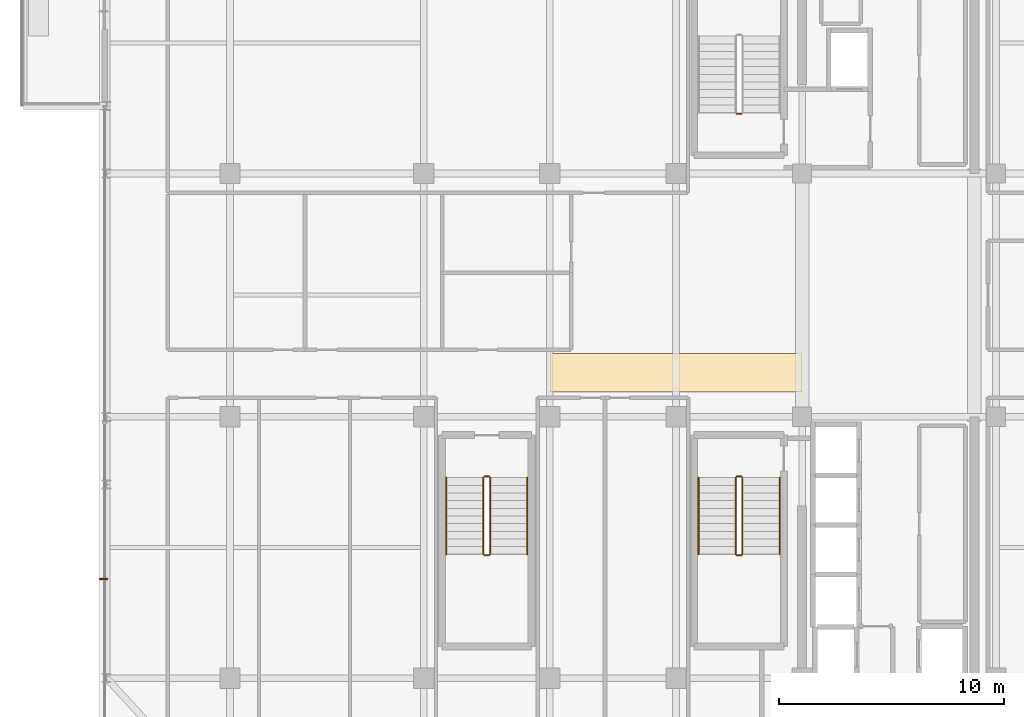
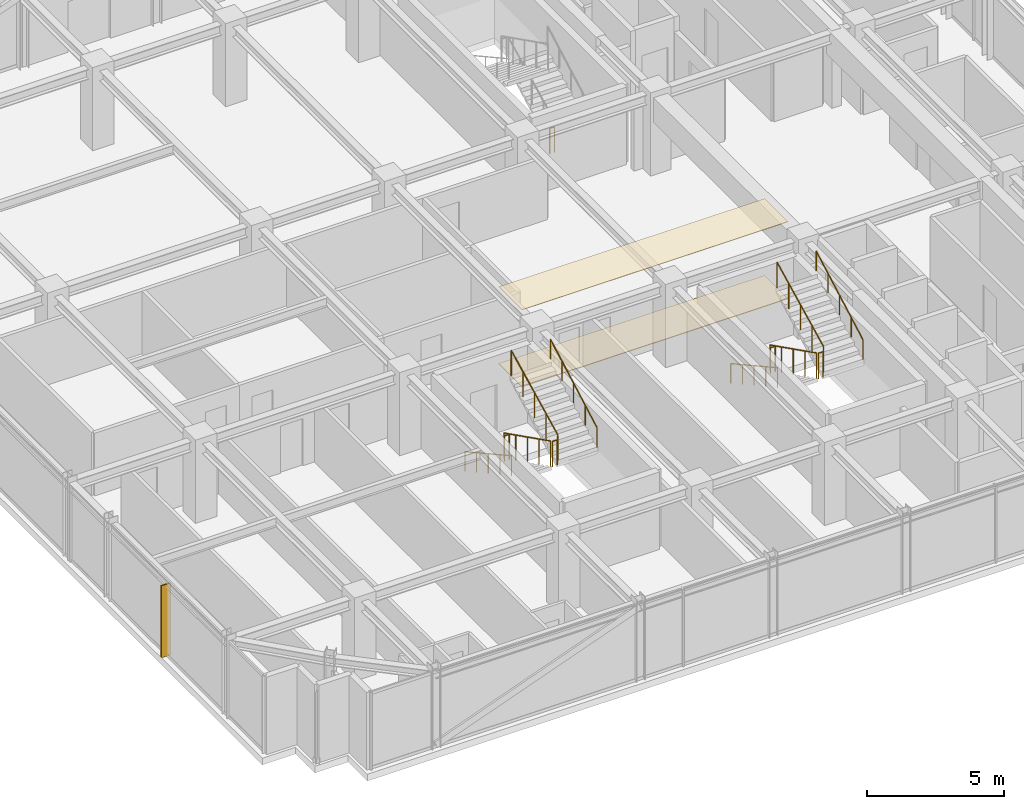
# One storey, part 34 of 36: 13 railings, 2 coverings, 1 shading device.
"""IFC4 building model written with IfcOpenShell, lengths in metres."""

from ifc_helpers import new_model, si_unit, direction, frame, origin, origin_2d, place, context, subcontext, project, spatial, polyline, rectangle, circle, outline, extrude, source, transform, mapped, material, layer, layer_set, type_object, element, save


model = new_model("IFC4")

# Units and contexts
model_context = context("Model", 3, precision=1e-05, world=origin(), true_north=direction((0.0, 1.0)))
body_context = subcontext(model_context, "Body", "Model", "MODEL_VIEW")
ifc_project = project(units=[si_unit("LENGTHUNIT", "METRE"), si_unit("AREAUNIT", "SQUARE_METRE"), si_unit("VOLUMEUNIT", "CUBIC_METRE"), si_unit("PLANEANGLEUNIT", "RADIAN"), si_unit("MASSUNIT", "GRAM", prefix="KILO")], contexts=[model_context])

# Site, building, storey
site_placement = place(None, origin())
site = spatial("IfcSite", under=ifc_project, at=site_placement, CompositionType="ELEMENT")
building_placement = place(site_placement, origin())
building = spatial("IfcBuilding", under=site, at=building_placement, Name="Nahalor Promenade Grand Hotel", CompositionType="ELEMENT")
storey_placement = place(building_placement, frame((0.0, 0.0, 273.800048828125)))
storey = spatial("IfcBuildingStorey", under=building, at=storey_placement, Name="L70", CompositionType="ELEMENT", Elevation=273.800048828125)

# Coverings
ifc_material_1 = material(Name="Acoustic Mineral Gypsum", Category="gypsum")
ifc_layer_1 = layer(ifc_material_1, 0.02490234375)
ifc_layer_set_1 = layer_set([ifc_layer_1], Name="Acoustic Mineral Gypsum")
covering_type_1 = type_object("IfcCoveringType", Name="Acoustic Suspended Ceiling Tile", PredefinedType="CEILING", material=ifc_layer_set_1)
covering_1_placement = place(storey_placement, frame((0.0, 0.0, 3.425048828125)))
element("IfcCovering", 1, at=covering_1_placement, inside=storey, type_object=covering_type_1, Name="CV-CEIL-L70", PredefinedType="CEILING", context=body_context, shape_type="SweptSolid", body=[
    extrude(outline(polyline([(-2.800048828125, -4.300048828125), (8.39990234375, -4.300048828125), (8.39990234375, -2.60009765625), (-2.800048828125, -2.60009765625), (-2.800048828125, -4.300048828125)])), origin(), (0.0, 0.0, 1.0), 0.02490234375),
])
ifc_material_2 = material(Name="Jerusalem Limestone Flooring", Category="masonry")
ifc_layer_2 = layer(ifc_material_2, 0.030029296875)
ifc_layer_set_2 = layer_set([ifc_layer_2], Name="Jerusalem Limestone Flooring")
covering_type_2 = type_object("IfcCoveringType", Name="Honed Limestone Floor Finish", PredefinedType="FLOORING", material=ifc_layer_set_2)
covering_2_placement = place(storey_placement, origin())
element("IfcCovering", 2, at=covering_2_placement, inside=storey, type_object=covering_type_2, Name="CV-FLOR-L70", PredefinedType="FLOORING", context=body_context, shape_type="SweptSolid", body=[
    extrude(outline(polyline([(-2.800048828125, -4.300048828125), (8.39990234375, -4.300048828125), (8.39990234375, -2.60009765625), (-2.800048828125, -2.60009765625), (-2.800048828125, -4.300048828125)])), origin(), (0.0, 0.0, 1.0), 0.030029296875),
])

# Railings
ifc_material_3 = material(Name="Steel S355JR", Category="steel")
railing_type_1 = type_object("IfcRailingType", Name="Steel Stair Guardrail 1150 mm", PredefinedType="GUARDRAIL", material=ifc_material_3)
railing_1_placement = place(storey_placement, frame((5.699951171875, 8.050048828125, 0.0)))
element("IfcRailing", 3, at=railing_1_placement, inside=storey, type_object=railing_type_1, Name="L70 ST1 stair guard 4", PredefinedType="GUARDRAIL", context=body_context, shape_type="SweptSolid", body=[
    extrude(circle(Radius=0.024048, at=origin_2d()), frame((0.0, 0.0, 1.1259765625), z_axis=(-1.0, 0.0, 0.0), x_axis=(0.0, -1.0, 0.0)), (0.0, 0.0, 1.0), 0.199951171875),
    extrude(circle(Radius=0.020996, at=origin_2d()), origin(), (0.0, 0.0, 1.0), 1.099853515625),
    extrude(circle(Radius=0.020996, at=origin_2d()), frame((-0.199951171875, 0.0, 0.0)), (0.0, 0.0, 1.0), 1.099853515625),
])
railing_2_placement = place(storey_placement, frame((5.449951171875, -8.10009765625, 0.17041015625)))
element("IfcRailing", 4, at=railing_2_placement, inside=storey, type_object=railing_type_1, Name="L70 ST2 stair guard 1", PredefinedType="GUARDRAIL", context=body_context, shape_type="SweptSolid", body=[
    extrude(circle(Radius=0.024048, at=origin_2d()), frame((0.0, 0.0, 1.1259765625), z_axis=(0.0, -0.89393879905, 0.448189048899), x_axis=(1.0, 0.0, 0.0)), (0.0, 0.0, 1.0), 3.80322265625),
    extrude(circle(Radius=0.020996, at=origin_2d()), origin(), (0.0, 0.0, 1.0), 1.099853515625),
    extrude(circle(Radius=0.020996, at=origin_2d()), frame((0.0, -0.85009765625, 0.42626953125)), (0.0, 0.0, 1.0), 1.099853515625),
    extrude(circle(Radius=0.020996, at=origin_2d()), frame((0.0, -1.699951171875, 0.852294921875)), (0.0, 0.0, 1.0), 1.099853515625),
    extrude(circle(Radius=0.020996, at=origin_2d()), frame((0.0, -2.5498046875, 1.2783203125)), (0.0, 0.0, 1.0), 1.099853515625),
    extrude(circle(Radius=0.020996, at=origin_2d()), frame((0.0, -3.39990234375, 1.70458984375)), (0.0, 0.0, 1.0), 1.099853515625),
])
railing_3_placement = place(storey_placement, frame((5.5, -11.550048828125, 1.875)))
element("IfcRailing", 5, at=railing_3_placement, inside=storey, type_object=railing_type_1, Name="L70 ST2 stair guard 2", PredefinedType="GUARDRAIL", context=body_context, shape_type="SweptSolid", body=[
    extrude(circle(Radius=0.024048, at=origin_2d()), frame((0.0, 0.0, 1.1259765625), z_axis=(1.0, 0.0, 0.0), x_axis=(0.0, 1.0, 0.0)), (0.0, 0.0, 1.0), 0.199951171875),
    extrude(circle(Radius=0.020996, at=origin_2d()), origin(), (0.0, 0.0, 1.0), 1.099853515625),
    extrude(circle(Radius=0.020996, at=origin_2d()), frame((0.199951171875, 0.0, 0.0)), (0.0, 0.0, 1.0), 1.099853515625),
])
railing_4_placement = place(storey_placement, frame((5.75, -11.5, 2.04541015625)))
element("IfcRailing", 6, at=railing_4_placement, inside=storey, type_object=railing_type_1, Name="L70 ST2 stair guard 3", PredefinedType="GUARDRAIL", context=body_context, shape_type="SweptSolid", body=[
    extrude(circle(Radius=0.024048, at=origin_2d()), frame((0.0, 0.0, 1.1259765625), z_axis=(0.0, 0.89393879905, 0.448189048899), x_axis=(-1.0, 0.0, 0.0)), (0.0, 0.0, 1.0), 3.80322265625),
    extrude(circle(Radius=0.020996, at=origin_2d()), origin(), (0.0, 0.0, 1.0), 1.099853515625),
    extrude(circle(Radius=0.020996, at=origin_2d()), frame((0.0, 0.85009765625, 0.42626953125)), (0.0, 0.0, 1.0), 1.099853515625),
    extrude(circle(Radius=0.020996, at=origin_2d()), frame((0.0, 1.699951171875, 0.852294921875)), (0.0, 0.0, 1.0), 1.099853515625),
    extrude(circle(Radius=0.020996, at=origin_2d()), frame((0.0, 2.5498046875, 1.2783203125)), (0.0, 0.0, 1.0), 1.099853515625),
    extrude(circle(Radius=0.020996, at=origin_2d()), frame((0.0, 3.39990234375, 1.70458984375)), (0.0, 0.0, 1.0), 1.099853515625),
])
railing_5_placement = place(storey_placement, frame((5.5, -8.050048828125, 0.0)))
element("IfcRailing", 7, at=railing_5_placement, inside=storey, type_object=railing_type_1, Name="L70 ST2 stair guard 4", PredefinedType="GUARDRAIL", context=body_context, shape_type="SweptSolid", body=[
    extrude(circle(Radius=0.024048, at=origin_2d()), frame((0.0, 0.0, 1.1259765625), z_axis=(1.0, 0.0, 0.0), x_axis=(0.0, 1.0, 0.0)), (0.0, 0.0, 1.0), 0.199951171875),
    extrude(circle(Radius=0.020996, at=origin_2d()), origin(), (0.0, 0.0, 1.0), 1.099853515625),
    extrude(circle(Radius=0.020996, at=origin_2d()), frame((0.199951171875, 0.0, 0.0)), (0.0, 0.0, 1.0), 1.099853515625),
])
railing_6_placement = place(storey_placement, frame((-5.75, -8.10009765625, 0.17041015625)))
element("IfcRailing", 8, at=railing_6_placement, inside=storey, type_object=railing_type_1, Name="L70 ST3 stair guard 1", PredefinedType="GUARDRAIL", context=body_context, shape_type="SweptSolid", body=[
    extrude(circle(Radius=0.024048, at=origin_2d()), frame((0.0, 0.0, 1.1259765625), z_axis=(0.0, -0.89393879905, 0.448189048899), x_axis=(1.0, 0.0, 0.0)), (0.0, 0.0, 1.0), 3.80322265625),
    extrude(circle(Radius=0.020996, at=origin_2d()), origin(), (0.0, 0.0, 1.0), 1.099853515625),
    extrude(circle(Radius=0.020996, at=origin_2d()), frame((0.0, -0.85009765625, 0.42626953125)), (0.0, 0.0, 1.0), 1.099853515625),
    extrude(circle(Radius=0.020996, at=origin_2d()), frame((0.0, -1.699951171875, 0.852294921875)), (0.0, 0.0, 1.0), 1.099853515625),
    extrude(circle(Radius=0.020996, at=origin_2d()), frame((0.0, -2.5498046875, 1.2783203125)), (0.0, 0.0, 1.0), 1.099853515625),
    extrude(circle(Radius=0.020996, at=origin_2d()), frame((0.0, -3.39990234375, 1.70458984375)), (0.0, 0.0, 1.0), 1.099853515625),
])
railing_7_placement = place(storey_placement, frame((-5.699951171875, -11.550048828125, 1.875)))
element("IfcRailing", 9, at=railing_7_placement, inside=storey, type_object=railing_type_1, Name="L70 ST3 stair guard 2", PredefinedType="GUARDRAIL", context=body_context, shape_type="SweptSolid", body=[
    extrude(circle(Radius=0.024048, at=origin_2d()), frame((0.0, 0.0, 1.1259765625), z_axis=(1.0, 0.0, 0.0), x_axis=(0.0, 1.0, 0.0)), (0.0, 0.0, 1.0), 0.199951171875),
    extrude(circle(Radius=0.020996, at=origin_2d()), origin(), (0.0, 0.0, 1.0), 1.099853515625),
    extrude(circle(Radius=0.020996, at=origin_2d()), frame((0.199951171875, 0.0, 0.0)), (0.0, 0.0, 1.0), 1.099853515625),
])
railing_8_placement = place(storey_placement, frame((-5.449951171875, -11.5, 2.04541015625)))
element("IfcRailing", 10, at=railing_8_placement, inside=storey, type_object=railing_type_1, Name="L70 ST3 stair guard 3", PredefinedType="GUARDRAIL", context=body_context, shape_type="SweptSolid", body=[
    extrude(circle(Radius=0.024048, at=origin_2d()), frame((0.0, 0.0, 1.1259765625), z_axis=(0.0, 0.89393879905, 0.448189048899), x_axis=(-1.0, 0.0, 0.0)), (0.0, 0.0, 1.0), 3.80322265625),
    extrude(circle(Radius=0.020996, at=origin_2d()), origin(), (0.0, 0.0, 1.0), 1.099853515625),
    extrude(circle(Radius=0.020996, at=origin_2d()), frame((0.0, 0.85009765625, 0.42626953125)), (0.0, 0.0, 1.0), 1.099853515625),
    extrude(circle(Radius=0.020996, at=origin_2d()), frame((0.0, 1.699951171875, 0.852294921875)), (0.0, 0.0, 1.0), 1.099853515625),
    extrude(circle(Radius=0.020996, at=origin_2d()), frame((0.0, 2.5498046875, 1.2783203125)), (0.0, 0.0, 1.0), 1.099853515625),
    extrude(circle(Radius=0.020996, at=origin_2d()), frame((0.0, 3.39990234375, 1.70458984375)), (0.0, 0.0, 1.0), 1.099853515625),
])
railing_9_placement = place(storey_placement, frame((-5.699951171875, -8.050048828125, 0.0)))
element("IfcRailing", 11, at=railing_9_placement, inside=storey, type_object=railing_type_1, Name="L70 ST3 stair guard 4", PredefinedType="GUARDRAIL", context=body_context, shape_type="SweptSolid", body=[
    extrude(circle(Radius=0.024048, at=origin_2d()), frame((0.0, 0.0, 1.1259765625), z_axis=(1.0, 0.0, 0.0), x_axis=(0.0, 1.0, 0.0)), (0.0, 0.0, 1.0), 0.199951171875),
    extrude(circle(Radius=0.020996, at=origin_2d()), origin(), (0.0, 0.0, 1.0), 1.099853515625),
    extrude(circle(Radius=0.020996, at=origin_2d()), frame((0.199951171875, 0.0, 0.0)), (0.0, 0.0, 1.0), 1.099853515625),
])
railing_type_2 = type_object("IfcRailingType", Name="Steel Stair Handrail 900 mm", PredefinedType="HANDRAIL", material=ifc_material_3)
railing_10_placement = place(storey_placement, frame((3.800048828125, -8.10009765625, 0.17041015625)))
element("IfcRailing", 12, at=railing_10_placement, inside=storey, type_object=railing_type_2, Name="L70 ST2 stair handrail 1", PredefinedType="HANDRAIL", context=body_context, shape_type="SweptSolid", body=[
    extrude(circle(Radius=0.024048, at=origin_2d()), frame((0.0, 0.0, 0.8759765625), z_axis=(0.0, -0.875665712831, 0.482917756322), x_axis=(1.0, 0.0, 0.0)), (0.0, 0.0, 1.0), 3.882568359375),
    extrude(circle(Radius=0.020996, at=origin_2d()), origin(), (0.0, 0.0, 1.0), 0.849853515625),
    extrude(circle(Radius=0.020996, at=origin_2d()), frame((0.0, -0.85009765625, 0.46875)), (0.0, 0.0, 1.0), 0.849853515625),
    extrude(circle(Radius=0.020996, at=origin_2d()), frame((0.0, -1.699951171875, 0.9375)), (0.0, 0.0, 1.0), 0.849853515625),
    extrude(circle(Radius=0.020996, at=origin_2d()), frame((0.0, -2.5498046875, 1.40625)), (0.0, 0.0, 1.0), 0.849853515625),
    extrude(circle(Radius=0.020996, at=origin_2d()), frame((0.0, -3.39990234375, 1.875)), (0.0, 0.0, 1.0), 0.849853515625),
])
railing_11_placement = place(storey_placement, frame((7.39990234375, -11.5, 2.04541015625)))
element("IfcRailing", 13, at=railing_11_placement, inside=storey, type_object=railing_type_2, Name="L70 ST2 stair handrail 2", PredefinedType="HANDRAIL", context=body_context, shape_type="SweptSolid", body=[
    extrude(circle(Radius=0.024048, at=origin_2d()), frame((0.0, 0.0, 0.8759765625), z_axis=(0.0, 0.875665712831, 0.482917756322), x_axis=(-1.0, 0.0, 0.0)), (0.0, 0.0, 1.0), 3.882568359375),
    extrude(circle(Radius=0.020996, at=origin_2d()), origin(), (0.0, 0.0, 1.0), 0.849853515625),
    extrude(circle(Radius=0.020996, at=origin_2d()), frame((0.0, 0.85009765625, 0.46875)), (0.0, 0.0, 1.0), 0.849853515625),
    extrude(circle(Radius=0.020996, at=origin_2d()), frame((0.0, 1.699951171875, 0.9375)), (0.0, 0.0, 1.0), 0.849853515625),
    extrude(circle(Radius=0.020996, at=origin_2d()), frame((0.0, 2.5498046875, 1.40625)), (0.0, 0.0, 1.0), 0.849853515625),
    extrude(circle(Radius=0.020996, at=origin_2d()), frame((0.0, 3.39990234375, 1.875)), (0.0, 0.0, 1.0), 0.849853515625),
])
railing_12_placement = place(storey_placement, frame((-7.39990234375, -8.10009765625, 0.17041015625)))
element("IfcRailing", 14, at=railing_12_placement, inside=storey, type_object=railing_type_2, Name="L70 ST3 stair handrail 1", PredefinedType="HANDRAIL", context=body_context, shape_type="SweptSolid", body=[
    extrude(circle(Radius=0.024048, at=origin_2d()), frame((0.0, 0.0, 0.8759765625), z_axis=(0.0, -0.875665712831, 0.482917756322), x_axis=(1.0, 0.0, 0.0)), (0.0, 0.0, 1.0), 3.882568359375),
    extrude(circle(Radius=0.020996, at=origin_2d()), origin(), (0.0, 0.0, 1.0), 0.849853515625),
    extrude(circle(Radius=0.020996, at=origin_2d()), frame((0.0, -0.85009765625, 0.46875)), (0.0, 0.0, 1.0), 0.849853515625),
    extrude(circle(Radius=0.020996, at=origin_2d()), frame((0.0, -1.699951171875, 0.9375)), (0.0, 0.0, 1.0), 0.849853515625),
    extrude(circle(Radius=0.020996, at=origin_2d()), frame((0.0, -2.5498046875, 1.40625)), (0.0, 0.0, 1.0), 0.849853515625),
    extrude(circle(Radius=0.020996, at=origin_2d()), frame((0.0, -3.39990234375, 1.875)), (0.0, 0.0, 1.0), 0.849853515625),
])
railing_13_placement = place(storey_placement, frame((-3.800048828125, -11.5, 2.04541015625)))
element("IfcRailing", 15, at=railing_13_placement, inside=storey, type_object=railing_type_2, Name="L70 ST3 stair handrail 2", PredefinedType="HANDRAIL", context=body_context, shape_type="SweptSolid", body=[
    extrude(circle(Radius=0.024048, at=origin_2d()), frame((0.0, 0.0, 0.8759765625), z_axis=(0.0, 0.875665712831, 0.482917756322), x_axis=(-1.0, 0.0, 0.0)), (0.0, 0.0, 1.0), 3.882568359375),
    extrude(circle(Radius=0.020996, at=origin_2d()), origin(), (0.0, 0.0, 1.0), 0.849853515625),
    extrude(circle(Radius=0.020996, at=origin_2d()), frame((0.0, 0.85009765625, 0.46875)), (0.0, 0.0, 1.0), 0.849853515625),
    extrude(circle(Radius=0.020996, at=origin_2d()), frame((0.0, 1.699951171875, 0.9375)), (0.0, 0.0, 1.0), 0.849853515625),
    extrude(circle(Radius=0.020996, at=origin_2d()), frame((0.0, 2.5498046875, 1.40625)), (0.0, 0.0, 1.0), 0.849853515625),
    extrude(circle(Radius=0.020996, at=origin_2d()), frame((0.0, 3.39990234375, 1.875)), (0.0, 0.0, 1.0), 0.849853515625),
])

# Shading device
ifc_material_4 = material(Name="Anodised Bronze Aluminium EN AW-6063 T6", Category="aluminium")
ifc_layer_3 = layer(ifc_material_4, 0.06005859375)
ifc_layer_set_3 = layer_set([ifc_layer_3], Name="Anodised Bronze Aluminium EN AW-6063 T6")
shading_device_type = type_object("IfcShadingDeviceType", Name="Shade-SolarFin-Bronze", PredefinedType="JALOUSIE", material=ifc_layer_set_3)
shared_shape = source(origin(), body_context, "Body", "SweptSolid", [
    extrude(rectangle(XDim=0.3798828125, YDim=0.06005859375, at=origin_2d()), origin(), (0.0, 0.0, 1.0), 3.199951171875),
])
shading_device_placement = place(storey_placement, frame((-22.610107421875, -12.60009765625, 0.0), z_axis=(0.0, 0.0, 1.0), x_axis=(1.0, 0.0, 0.0)))
element("IfcShadingDevice", 16, at=shading_device_placement, inside=storey, type_object=shading_device_type, Name="JAL-L70-W1", PredefinedType="JALOUSIE", context=body_context, shape_type="MappedRepresentation", body=[
    mapped(shared_shape, transform((0.0, 0.0, 0.0), scale=1.0)),
])

save(model, "model.ifc")
